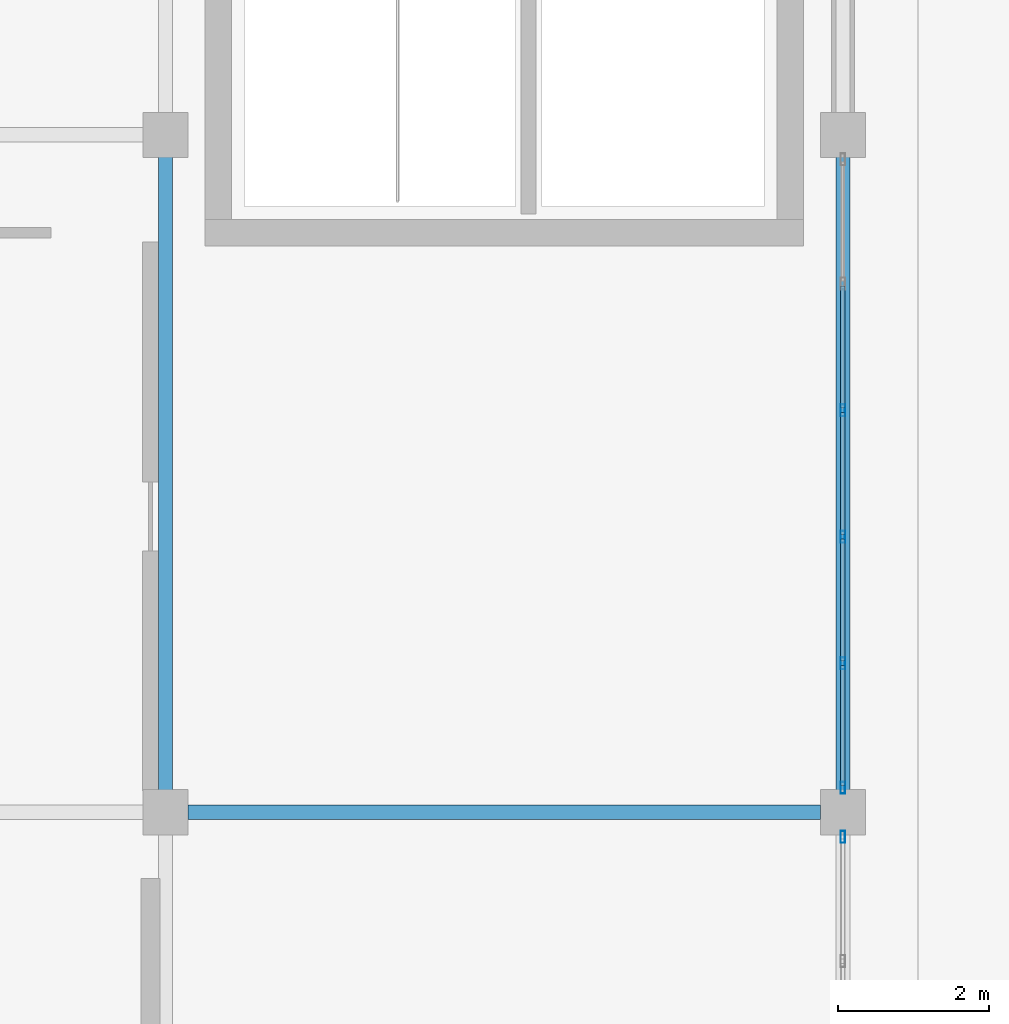
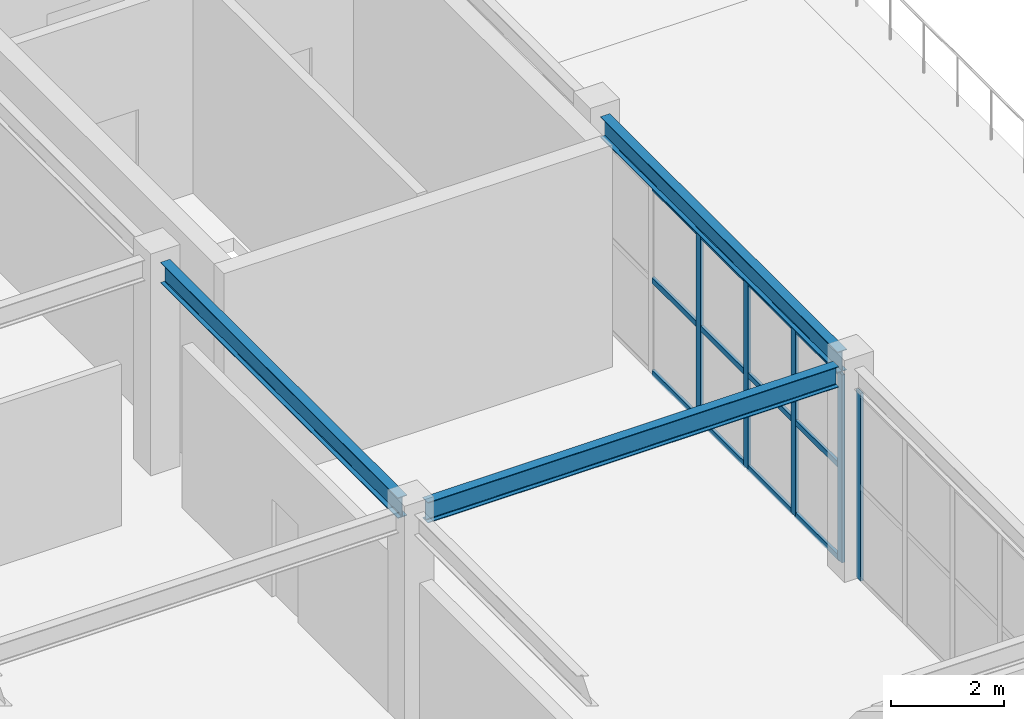
# One storey, part 84 of 167: 17 members, 3 beams, 2 elements without a shape of their own.
"""IFC4 building model written with IfcOpenShell, lengths in metres."""

import ifcopenshell
import ifcopenshell.guid

model = None  # the IFC model being written
_history = None  # IfcOwnerHistory: only IFC2X3 demands one
_inside = {}  # id of a spatial element -> (the spatial element, [elements in it])
_under = {}  # id of a project, library or spatial element -> (it, [spatial elements below it])
_declared = {}  # id of a project -> (the project, [libraries it declares])
_typed = {}  # id of a type object -> (the type object, [elements of that type])
_made_of = {}  # id of a material, layer set ... -> (it, [elements and type objects made of it])


def new_model(schema):
    """Start an empty IFC model of exactly this schema.

    Asked for "IFC4X3", IfcOpenShell would pick the latest addendum, in which some entities
    have other attributes; the version numbers below select the first issue.
    IFC2X3 requires an IfcOwnerHistory on every rooted entity: one is made here for all.
    """
    global model, _history
    if schema == "IFC4X3":
        model = ifcopenshell.file(schema_version=(4, 3, 0, 0))
    else:
        model = ifcopenshell.file(schema=schema)
    _inside.clear()
    _under.clear()
    _declared.clear()
    _typed.clear()
    _made_of.clear()
    _history = None
    if model.schema == "IFC2X3":
        org = make("IfcOrganization", Name="unknown")
        user = make(
            "IfcPersonAndOrganization",
            ThePerson=make("IfcPerson", FamilyName="unknown"),
            TheOrganization=org,
        )
        app = make(
            "IfcApplication",
            ApplicationDeveloper=org,
            Version="unknown",
            ApplicationFullName="unknown",
            ApplicationIdentifier="unknown",
        )
        _history = make(
            "IfcOwnerHistory",
            OwningUser=user,
            OwningApplication=app,
            ChangeAction="ADDED",
            CreationDate=0,
        )
    return model


def make(cls, **values):
    """One entity of the class cls with the attributes given. An attribute that is None is left unset."""
    return model.create_entity(
        cls, **{name: value for name, value in values.items() if value is not None}
    )


def rooted(cls, **values):
    """An entity with a GlobalId (a new one), such as an element, a storey or a relation."""
    return make(cls, GlobalId=ifcopenshell.guid.new(), OwnerHistory=_history, **values)


def si_unit(unit_type, name, prefix=None):
    """IfcSIUnit, for example si_unit("LENGTHUNIT", "METRE", prefix="MILLI")."""
    return make("IfcSIUnit", UnitType=unit_type, Prefix=prefix, Name=name)


def assignment(units):
    """IfcUnitAssignment: the units of a project."""
    return None if units is None else make("IfcUnitAssignment", Units=units)


def point(xyz):
    """IfcCartesianPoint."""
    return None if xyz is None else make("IfcCartesianPoint", Coordinates=xyz)


def direction(xyz):
    """IfcDirection."""
    return None if xyz is None else make("IfcDirection", DirectionRatios=xyz)


def frame(location, z_axis=None, x_axis=None):
    """IfcAxis2Placement3D, a coordinate frame: its origin and axes. An axis left out is left unset."""
    return make(
        "IfcAxis2Placement3D",
        Location=point(location),
        Axis=direction(z_axis),
        RefDirection=direction(x_axis),
    )


def frame_2d(location, x_axis=None):
    """IfcAxis2Placement2D, a coordinate frame in the plane: its origin and x axis."""
    return make(
        "IfcAxis2Placement2D", Location=point(location), RefDirection=direction(x_axis)
    )


def origin():
    """The frame at (0, 0, 0) with its axes left unset."""
    return frame((0.0, 0.0, 0.0))


def origin_2d():
    """The frame at (0, 0) in the plane with its x axis left unset."""
    return frame_2d((0.0, 0.0))


def place(relative_to, where):
    """IfcLocalPlacement: puts the frame where relative to a parent placement (None: the world)."""
    return make(
        "IfcLocalPlacement", PlacementRelTo=relative_to, RelativePlacement=where
    )


def context(
    kind, dimensions, precision=None, world=None, true_north=None, identifier=None
):
    """IfcGeometricRepresentationContext, for example the 3D "Model" context."""
    return make(
        "IfcGeometricRepresentationContext",
        ContextIdentifier=identifier,
        ContextType=kind,
        CoordinateSpaceDimension=dimensions,
        Precision=precision,
        WorldCoordinateSystem=world,
        TrueNorth=true_north,
    )


def subcontext(parent, identifier, kind, view, scale=None):
    """IfcGeometricRepresentationSubContext, for example "Body" below "Model"."""
    return make(
        "IfcGeometricRepresentationSubContext",
        ContextIdentifier=identifier,
        ContextType=kind,
        ParentContext=parent,
        TargetScale=scale,
        TargetView=view,
    )


def project(units=None, contexts=None):
    """IfcProject with its units and contexts."""
    return rooted(
        "IfcProject",
        Name="project",
        RepresentationContexts=contexts,
        UnitsInContext=assignment(units),
    )


def spatial(cls, under=None, at=None, **own):
    """A site, building, storey or space (cls), placed at a placement, below another one or the project."""
    s = rooted(cls, ObjectPlacement=at, **own)
    if under is not None:
        _under.setdefault(under.id(), (under, []))[1].append(s)
    return s


def profile(cls, at=None, kind="AREA", **sizes):
    """A parametric profile (cls). Its sizes go by their IFC names, for example OverallWidth=200.0."""
    return make(cls, ProfileType=kind, Position=at, **sizes)


def hollow_rectangle(**sizes):
    """IfcRectangleHollowProfileDef."""
    return profile("IfcRectangleHollowProfileDef", **sizes)


def i_section(**sizes):
    """IfcIShapeProfileDef."""
    return profile("IfcIShapeProfileDef", **sizes)


def extrude(swept, where, along, depth):
    """IfcExtrudedAreaSolid: the profile swept, set in the frame where, extruded along a direction by depth."""
    return make(
        "IfcExtrudedAreaSolid",
        SweptArea=swept,
        Position=where,
        ExtrudedDirection=direction(along),
        Depth=depth,
    )


def shape(context_of_items, identifier, shape_type, items):
    """IfcShapeRepresentation: the items that make up one representation, for example the "Body"."""
    return make(
        "IfcShapeRepresentation",
        ContextOfItems=context_of_items,
        RepresentationIdentifier=identifier,
        RepresentationType=shape_type,
        Items=items,
    )


def material(Name=None, Category=None):
    """IfcMaterial."""
    return make("IfcMaterial", Name=Name, Category=Category)


def layer(
    of_material, thickness, ventilated=None, Name=None, Category=None, Priority=None
):
    """IfcMaterialLayer: one layer of a wall or slab, of a material (None: an air gap)."""
    return make(
        "IfcMaterialLayer",
        Material=of_material,
        LayerThickness=thickness,
        IsVentilated=ventilated,
        Name=Name,
        Category=Category,
        Priority=Priority,
    )


def layer_set(layers, Name=None):
    """IfcMaterialLayerSet."""
    return make("IfcMaterialLayerSet", MaterialLayers=layers, LayerSetName=Name)


def material_profile(
    of_material, cross_section, Name=None, Category=None, Priority=None
):
    """IfcMaterialProfile: a cross section and its material."""
    return make(
        "IfcMaterialProfile",
        Name=Name,
        Material=of_material,
        Profile=cross_section,
        Priority=Priority,
        Category=Category,
    )


def profile_set(profiles, Name=None, composite=None):
    """IfcMaterialProfileSet."""
    return make(
        "IfcMaterialProfileSet",
        Name=Name,
        MaterialProfiles=profiles,
        CompositeProfile=composite,
    )


def made_of(thing, what):
    """Note that an element or type object is made of a material, layer set ...; save() writes the relation."""
    if what is not None:
        _made_of.setdefault(what.id(), (what, []))[1].append(thing)
    return thing


def type_object(cls, material=None, **own):
    """A type object (cls), such as IfcWallType, which elements share."""
    return made_of(rooted(cls, **own), material)


def element(
    cls,
    number,
    at=None,
    inside=None,
    cuts=None,
    type_object=None,
    material=None,
    context=None,
    identifier="Body",
    shape_type=None,
    held_by="IfcProductDefinitionShape",
    body=None,
    shapes=None,
    **own,
):
    """One element of the class cls, such as IfcWall. Its Tag is "e" and its number.

    at: its placement. inside: the storey or other place that contains it. cuts: it is an
    opening in that element (IfcRelVoidsElement). A single representation is given by context,
    identifier, shape_type and body (its items); several are given by shapes. held_by: the class
    of the entity that holds the representations. save() writes the other relations.
    """
    e = rooted(cls, Tag="e%d" % number, ObjectPlacement=at, **own)
    if body is not None:
        shapes = [shape(context, identifier, shape_type, body)]
    if shapes is not None:
        e.Representation = make(held_by, Representations=shapes)
    if inside is not None:
        _inside.setdefault(inside.id(), (inside, []))[1].append(e)
    if cuts is not None:
        rooted(
            "IfcRelVoidsElement", RelatingBuildingElement=cuts, RelatedOpeningElement=e
        )
    if type_object is not None:
        _typed.setdefault(type_object.id(), (type_object, []))[1].append(e)
    return made_of(e, material)


def aggregate(whole, parts):
    """IfcRelAggregates: a whole, such as a stair, and the parts it consists of."""
    return rooted("IfcRelAggregates", RelatingObject=whole, RelatedObjects=parts)


def save(model, path):
    """Write the relations noted so far, then the file.

    IfcRelAggregates (storeys below a building ...), IfcRelContainedInSpatialStructure (elements
    in a storey), IfcRelDefinesByType, IfcRelAssociatesMaterial and IfcRelDeclares: one each for
    every whole, place, type object, material and project.
    """
    for whole, parts in _under.values():
        aggregate(whole, parts)
    for where, things in _inside.values():
        rooted(
            "IfcRelContainedInSpatialStructure",
            RelatedElements=things,
            RelatingStructure=where,
        )
    for kind, things in _typed.values():
        rooted("IfcRelDefinesByType", RelatedObjects=things, RelatingType=kind)
    for what, things in _made_of.values():
        rooted("IfcRelAssociatesMaterial", RelatedObjects=things, RelatingMaterial=what)
    for by, libraries in _declared.values():
        rooted("IfcRelDeclares", RelatingContext=by, RelatedDefinitions=libraries)
    model.write(path)


model = new_model("IFC4")

# Units and contexts
model_context = context("Model", 3, precision=1e-05, world=origin(), true_north=direction((0.0, 1.0)))
body_context = subcontext(model_context, "Body", "Model", "MODEL_VIEW")
ifc_project = project(units=[si_unit("LENGTHUNIT", "METRE"), si_unit("AREAUNIT", "SQUARE_METRE"), si_unit("VOLUMEUNIT", "CUBIC_METRE"), si_unit("PLANEANGLEUNIT", "RADIAN"), si_unit("MASSUNIT", "GRAM", prefix="KILO")], contexts=[model_context])

# Site, building, storey
site_placement = place(None, origin())
site = spatial("IfcSite", under=ifc_project, at=site_placement, CompositionType="ELEMENT")
building_placement = place(site_placement, origin())
building = spatial("IfcBuilding", under=site, at=building_placement, Name="Dornveld Trade and Exhibition Forum", CompositionType="ELEMENT")
storey_placement = place(building_placement, frame((0.0, 0.0, 16.800048828125)))
storey = spatial("IfcBuildingStorey", under=building, at=storey_placement, Name="L03", CompositionType="ELEMENT", Elevation=16.800048828125)

# Beams
ifc_material_1 = material(Name="Steel S355J2", Category="steel")
ifc_material_profile_1 = material_profile(ifc_material_1, i_section(OverallWidth=0.18994140625, OverallDepth=0.449951171875, WebThickness=0.009521484375, FlangeThickness=0.0146484375, FilletRadius=0.02099609375, at=origin_2d()), Name="IPE 450")
ifc_profile_set_1 = profile_set([ifc_material_profile_1], Name="Steel S355J2")
beam_type = type_object("IfcBeamType", Name="BM-SEC-450", PredefinedType="BEAM", material=ifc_profile_set_1)
for number, where, z_axis, x_axis, name in (
    (1, (207.2958984375, 9.0, 4.324951171875), (1.0, 0.0, 0.0), (0.0, 1.0, 0.0), "L03 X-girder 1608"),
    (2, (207.0, 9.2958984375, 4.324951171875), (0.0, 1.0, 0.0), (-1.0, 0.0, 0.0), "L03 Y-girder 1624"),
    (3, (216.0, 9.2958984375, 4.324951171875), (0.0, 1.0, 0.0), (-1.0, 0.0, 0.0), "L03 Y-girder 1630"),
):
    element("IfcBeam", number, at=place(storey_placement, frame(where, z_axis=z_axis, x_axis=x_axis)), inside=storey, type_object=beam_type, Name=name, PredefinedType="BEAM", context=body_context, shape_type="SweptSolid", body=[
        extrude(i_section(OverallWidth=0.18994140625, OverallDepth=0.449951171875, WebThickness=0.009521484375, FlangeThickness=0.0146484375, FilletRadius=0.02099609375, at=origin_2d()), origin(), (0.0, 0.0, 1.0), 8.408203125),
    ])

# Curtain wall, member
ifc_material_2 = material(Name="Dark-bronze anodised aluminium and low-E glass", Category="aluminium")
ifc_layer_1 = layer(ifc_material_2, 0.166015625)
ifc_layer_set_1 = layer_set([ifc_layer_1], Name="Dark-bronze anodised aluminium and low-E glass")
curtain_wall_type_1 = type_object("IfcCurtainWallType", Name="CW-SYS-08", PredefinedType="USERDEFINED", material=ifc_layer_set_1)
curtain_wall_1_placement = place(storey_placement, origin())
curtain_wall_1 = element("IfcCurtainWall", 4, at=curtain_wall_1_placement, inside=storey, type_object=curtain_wall_type_1, Name="L03 unitised curtain wall 80", ObjectType="UNITISED_CURTAIN_WALL", PredefinedType="USERDEFINED")
ifc_material_3 = material(Name="Dark-bronze anodised aluminium", Category="aluminium")
ifc_material_profile_2 = material_profile(ifc_material_3, hollow_rectangle(XDim=0.06005859375, YDim=0.159912109375, WallThickness=0.00390625, at=origin_2d()), Name="RHS 160x60x4")
ifc_profile_set_2 = profile_set([ifc_material_profile_2], Name="Dark-bronze anodised aluminium")
member_type_1 = type_object("IfcMemberType", Name="CW-MUL-160", PredefinedType="MULLION", material=ifc_profile_set_2)
member_1_placement = place(storey_placement, frame((216.0, 8.674072265625, -0.004150390625), z_axis=(0.0, 0.0, 1.0), x_axis=(-1.0, 0.0, 0.0)))
member_1 = element("IfcMember", 5, at=member_1_placement, type_object=member_type_1, Name="CW-08 mullion 6", PredefinedType="MULLION", context=body_context, shape_type="SweptSolid", body=[
    extrude(hollow_rectangle(XDim=0.06005859375, YDim=0.159912109375, WallThickness=0.00390625, at=origin_2d()), origin(), (0.0, 0.0, 1.0), 4.064208984375),
])
aggregate(curtain_wall_1, [member_1])

# Curtain wall, members
ifc_material_4 = material(Name="Dark-bronze anodised aluminium and low-E glass", Category="aluminium")
ifc_layer_2 = layer(ifc_material_4, 0.1689453125)
ifc_layer_set_2 = layer_set([ifc_layer_2], Name="Dark-bronze anodised aluminium and low-E glass")
curtain_wall_type_2 = type_object("IfcCurtainWallType", Name="CW-SYS-09", PredefinedType="USERDEFINED", material=ifc_layer_set_2)
curtain_wall_2_placement = place(storey_placement, origin())
curtain_wall_2 = element("IfcCurtainWall", 6, at=curtain_wall_2_placement, inside=storey, type_object=curtain_wall_type_2, Name="L03 unitised curtain wall 81", ObjectType="UNITISED_CURTAIN_WALL", PredefinedType="USERDEFINED")
member_2_placement = place(storey_placement, frame((216.0, 9.325927734375, -0.004150390625), z_axis=(0.0, 0.0, 1.0), x_axis=(-1.0, 0.0, 0.0)))
member_2 = element("IfcMember", 7, at=member_2_placement, type_object=member_type_1, Name="CW-09 mullion 1", PredefinedType="MULLION", context=body_context, shape_type="SweptSolid", body=[
    extrude(hollow_rectangle(XDim=0.06005859375, YDim=0.159912109375, WallThickness=0.00390625, at=origin_2d()), origin(), (0.0, 0.0, 1.0), 4.064208984375),
])
member_3_placement = place(storey_placement, frame((216.0, 10.9775390625, -0.004150390625), z_axis=(0.0, 0.0, 1.0), x_axis=(-1.0, 0.0, 0.0)))
member_3 = element("IfcMember", 8, at=member_3_placement, type_object=member_type_1, Name="CW-09 mullion 2", PredefinedType="MULLION", context=body_context, shape_type="SweptSolid", body=[
    extrude(hollow_rectangle(XDim=0.06005859375, YDim=0.159912109375, WallThickness=0.00390625, at=origin_2d()), origin(), (0.0, 0.0, 1.0), 4.064208984375),
])
member_4_placement = place(storey_placement, frame((216.0, 12.6591796875, -0.004150390625), z_axis=(0.0, 0.0, 1.0), x_axis=(-1.0, 0.0, 0.0)))
member_4 = element("IfcMember", 9, at=member_4_placement, type_object=member_type_1, Name="CW-09 mullion 3", PredefinedType="MULLION", context=body_context, shape_type="SweptSolid", body=[
    extrude(hollow_rectangle(XDim=0.06005859375, YDim=0.159912109375, WallThickness=0.00390625, at=origin_2d()), origin(), (0.0, 0.0, 1.0), 4.064208984375),
])
member_5_placement = place(storey_placement, frame((216.0, 14.3408203125, -0.004150390625), z_axis=(0.0, 0.0, 1.0), x_axis=(-1.0, 0.0, 0.0)))
member_5 = element("IfcMember", 10, at=member_5_placement, type_object=member_type_1, Name="CW-09 mullion 4", PredefinedType="MULLION", context=body_context, shape_type="SweptSolid", body=[
    extrude(hollow_rectangle(XDim=0.06005859375, YDim=0.159912109375, WallThickness=0.00390625, at=origin_2d()), origin(), (0.0, 0.0, 1.0), 4.064208984375),
])
ifc_material_5 = material(Name="Dark-bronze anodised aluminium", Category="aluminium")
ifc_material_profile_3 = material_profile(ifc_material_5, hollow_rectangle(XDim=0.06005859375, YDim=0.1201171875, WallThickness=0.00390625, at=origin_2d()), Name="RHS 120x60x4")
ifc_profile_set_3 = profile_set([ifc_material_profile_3], Name="Dark-bronze anodised aluminium")
member_type_2 = type_object("IfcMemberType", Name="CW-TRN-120", PredefinedType="USERDEFINED", material=ifc_profile_set_3)
member_6_placement = place(storey_placement, frame((216.0, 9.35595703125, 0.02587890625), z_axis=(0.0, 1.0, 0.0), x_axis=(-1.0, 0.0, 0.0)))
member_6 = element("IfcMember", 11, at=member_6_placement, type_object=member_type_2, Name="CW-09 transom 1.1", ObjectType="TRANSOM", PredefinedType="USERDEFINED", context=body_context, shape_type="SweptSolid", body=[
    extrude(hollow_rectangle(XDim=0.06005859375, YDim=0.1201171875, WallThickness=0.00390625, at=origin_2d()), origin(), (0.0, 0.0, 1.0), 1.591552734375),
])
member_7_placement = place(storey_placement, frame((216.0, 9.35595703125, 2.02783203125), z_axis=(0.0, 1.0, 0.0), x_axis=(-1.0, 0.0, 0.0)))
member_7 = element("IfcMember", 12, at=member_7_placement, type_object=member_type_2, Name="CW-09 transom 1.2", ObjectType="TRANSOM", PredefinedType="USERDEFINED", context=body_context, shape_type="SweptSolid", body=[
    extrude(hollow_rectangle(XDim=0.06005859375, YDim=0.1201171875, WallThickness=0.00390625, at=origin_2d()), origin(), (0.0, 0.0, 1.0), 1.591552734375),
])
member_8_placement = place(storey_placement, frame((216.0, 9.35595703125, 4.030029296875), z_axis=(0.0, 1.0, 0.0), x_axis=(-1.0, 0.0, 0.0)))
member_8 = element("IfcMember", 13, at=member_8_placement, type_object=member_type_2, Name="CW-09 transom 1.3", ObjectType="TRANSOM", PredefinedType="USERDEFINED", context=body_context, shape_type="SweptSolid", body=[
    extrude(hollow_rectangle(XDim=0.06005859375, YDim=0.1201171875, WallThickness=0.00390625, at=origin_2d()), origin(), (0.0, 0.0, 1.0), 1.591552734375),
])
member_9_placement = place(storey_placement, frame((216.0, 11.007568359375, 0.02587890625), z_axis=(0.0, 1.0, 0.0), x_axis=(-1.0, 0.0, 0.0)))
member_9 = element("IfcMember", 14, at=member_9_placement, type_object=member_type_2, Name="CW-09 transom 2.1", ObjectType="TRANSOM", PredefinedType="USERDEFINED", context=body_context, shape_type="SweptSolid", body=[
    extrude(hollow_rectangle(XDim=0.06005859375, YDim=0.1201171875, WallThickness=0.00390625, at=origin_2d()), origin(), (0.0, 0.0, 1.0), 1.62158203125),
])
member_10_placement = place(storey_placement, frame((216.0, 11.007568359375, 2.02783203125), z_axis=(0.0, 1.0, 0.0), x_axis=(-1.0, 0.0, 0.0)))
member_10 = element("IfcMember", 15, at=member_10_placement, type_object=member_type_2, Name="CW-09 transom 2.2", ObjectType="TRANSOM", PredefinedType="USERDEFINED", context=body_context, shape_type="SweptSolid", body=[
    extrude(hollow_rectangle(XDim=0.06005859375, YDim=0.1201171875, WallThickness=0.00390625, at=origin_2d()), origin(), (0.0, 0.0, 1.0), 1.62158203125),
])
member_11_placement = place(storey_placement, frame((216.0, 11.007568359375, 4.030029296875), z_axis=(0.0, 1.0, 0.0), x_axis=(-1.0, 0.0, 0.0)))
member_11 = element("IfcMember", 16, at=member_11_placement, type_object=member_type_2, Name="CW-09 transom 2.3", ObjectType="TRANSOM", PredefinedType="USERDEFINED", context=body_context, shape_type="SweptSolid", body=[
    extrude(hollow_rectangle(XDim=0.06005859375, YDim=0.1201171875, WallThickness=0.00390625, at=origin_2d()), origin(), (0.0, 0.0, 1.0), 1.62158203125),
])
member_12_placement = place(storey_placement, frame((216.0, 12.689208984375, 0.02587890625), z_axis=(0.0, 1.0, 0.0), x_axis=(-1.0, 0.0, 0.0)))
member_12 = element("IfcMember", 17, at=member_12_placement, type_object=member_type_2, Name="CW-09 transom 3.1", ObjectType="TRANSOM", PredefinedType="USERDEFINED", context=body_context, shape_type="SweptSolid", body=[
    extrude(hollow_rectangle(XDim=0.06005859375, YDim=0.1201171875, WallThickness=0.00390625, at=origin_2d()), origin(), (0.0, 0.0, 1.0), 1.62158203125),
])
member_13_placement = place(storey_placement, frame((216.0, 12.689208984375, 2.02783203125), z_axis=(0.0, 1.0, 0.0), x_axis=(-1.0, 0.0, 0.0)))
member_13 = element("IfcMember", 18, at=member_13_placement, type_object=member_type_2, Name="CW-09 transom 3.2", ObjectType="TRANSOM", PredefinedType="USERDEFINED", context=body_context, shape_type="SweptSolid", body=[
    extrude(hollow_rectangle(XDim=0.06005859375, YDim=0.1201171875, WallThickness=0.00390625, at=origin_2d()), origin(), (0.0, 0.0, 1.0), 1.62158203125),
])
member_14_placement = place(storey_placement, frame((216.0, 12.689208984375, 4.030029296875), z_axis=(0.0, 1.0, 0.0), x_axis=(-1.0, 0.0, 0.0)))
member_14 = element("IfcMember", 19, at=member_14_placement, type_object=member_type_2, Name="CW-09 transom 3.3", ObjectType="TRANSOM", PredefinedType="USERDEFINED", context=body_context, shape_type="SweptSolid", body=[
    extrude(hollow_rectangle(XDim=0.06005859375, YDim=0.1201171875, WallThickness=0.00390625, at=origin_2d()), origin(), (0.0, 0.0, 1.0), 1.62158203125),
])
member_15_placement = place(storey_placement, frame((216.0, 14.370849609375, 0.02587890625), z_axis=(0.0, 1.0, 0.0), x_axis=(-1.0, 0.0, 0.0)))
member_15 = element("IfcMember", 20, at=member_15_placement, type_object=member_type_2, Name="CW-09 transom 4.1", ObjectType="TRANSOM", PredefinedType="USERDEFINED", context=body_context, shape_type="SweptSolid", body=[
    extrude(hollow_rectangle(XDim=0.06005859375, YDim=0.1201171875, WallThickness=0.00390625, at=origin_2d()), origin(), (0.0, 0.0, 1.0), 1.62158203125),
])
member_16_placement = place(storey_placement, frame((216.0, 14.370849609375, 2.02783203125), z_axis=(0.0, 1.0, 0.0), x_axis=(-1.0, 0.0, 0.0)))
member_16 = element("IfcMember", 21, at=member_16_placement, type_object=member_type_2, Name="CW-09 transom 4.2", ObjectType="TRANSOM", PredefinedType="USERDEFINED", context=body_context, shape_type="SweptSolid", body=[
    extrude(hollow_rectangle(XDim=0.06005859375, YDim=0.1201171875, WallThickness=0.00390625, at=origin_2d()), origin(), (0.0, 0.0, 1.0), 1.62158203125),
])
member_17_placement = place(storey_placement, frame((216.0, 14.370849609375, 4.030029296875), z_axis=(0.0, 1.0, 0.0), x_axis=(-1.0, 0.0, 0.0)))
member_17 = element("IfcMember", 22, at=member_17_placement, type_object=member_type_2, Name="CW-09 transom 4.3", ObjectType="TRANSOM", PredefinedType="USERDEFINED", context=body_context, shape_type="SweptSolid", body=[
    extrude(hollow_rectangle(XDim=0.06005859375, YDim=0.1201171875, WallThickness=0.00390625, at=origin_2d()), origin(), (0.0, 0.0, 1.0), 1.62158203125),
])
aggregate(curtain_wall_2, [member_2, member_3, member_4, member_5, member_6, member_7, member_8, member_9, member_10, member_11, member_12, member_13, member_14, member_15, member_16, member_17])

save(model, "model.ifc")
